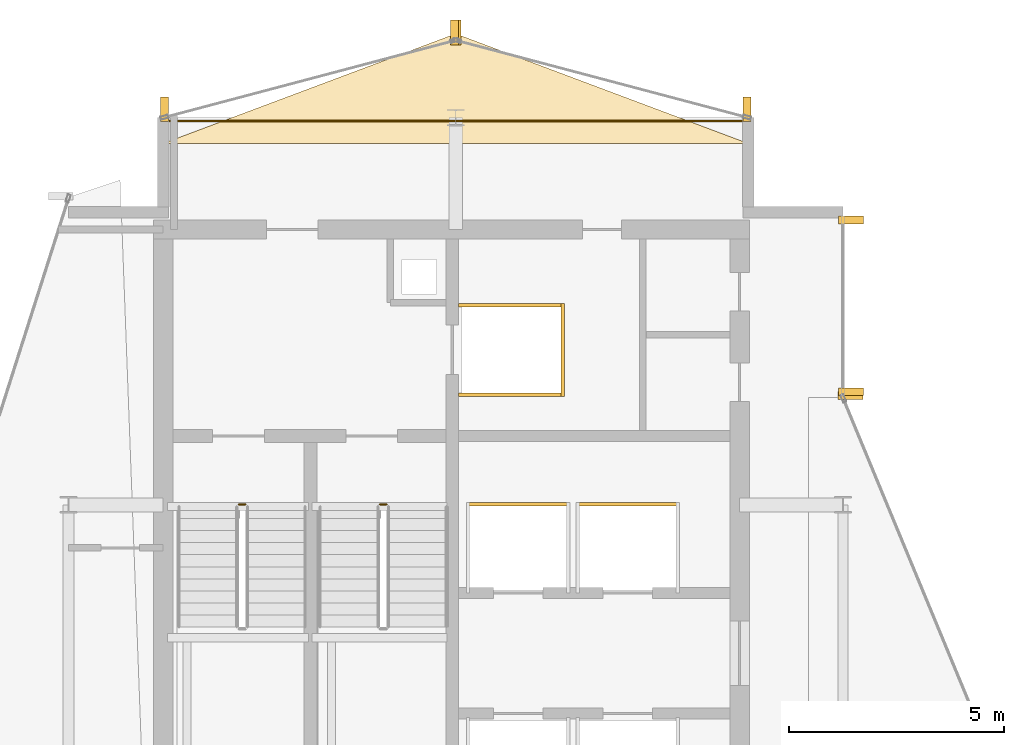
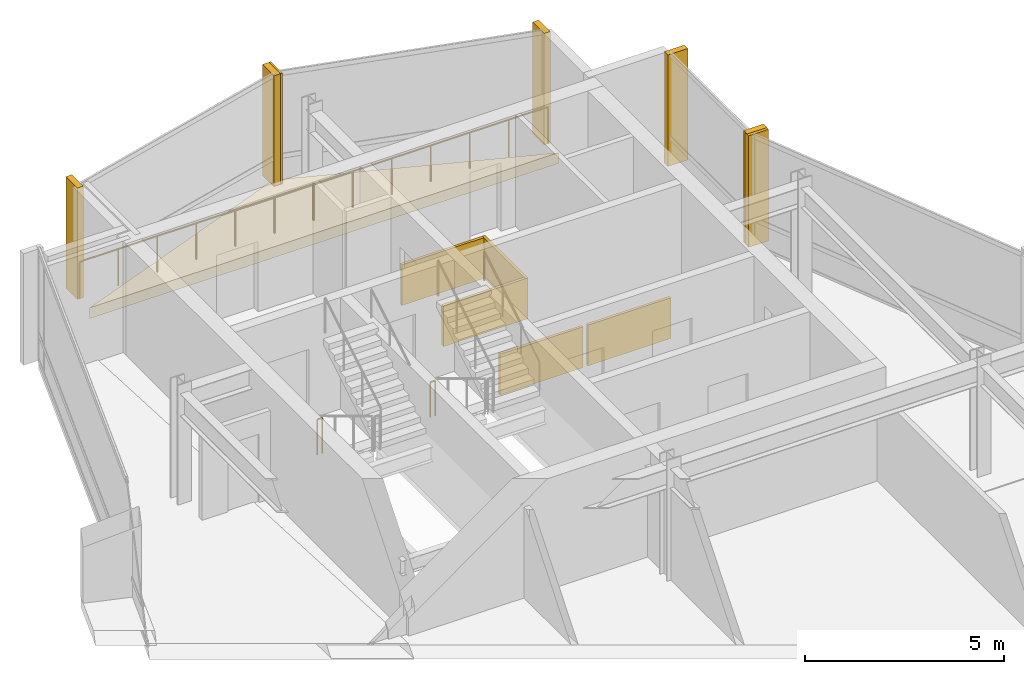
# One storey, part 19 of 19: 13 coverings, 3 railings.
"""IFC4 building model written with IfcOpenShell, lengths in metres."""

from ifc_helpers import new_model, si_unit, direction, frame, origin, origin_2d, place, context, subcontext, project, spatial, polyline, rectangle, circle, outline, extrude, material, layer, layer_set, type_object, element, save


model = new_model("IFC4")

# Units and contexts
model_context = context("Model", 3, precision=1e-05, world=origin(), true_north=direction((0.0, 1.0)))
body_context = subcontext(model_context, "Body", "Model", "MODEL_VIEW")
ifc_project = project(units=[si_unit("LENGTHUNIT", "METRE"), si_unit("AREAUNIT", "SQUARE_METRE"), si_unit("VOLUMEUNIT", "CUBIC_METRE"), si_unit("PLANEANGLEUNIT", "RADIAN"), si_unit("MASSUNIT", "GRAM", prefix="KILO")], contexts=[model_context])

# Site, building, storey
site_placement = place(None, origin())
site = spatial("IfcSite", under=ifc_project, at=site_placement, CompositionType="ELEMENT")
building_placement = place(site_placement, origin())
building = spatial("IfcBuilding", under=site, at=building_placement, Name="Solvaryn Broadcast Tower", CompositionType="ELEMENT")
storey_placement = place(building_placement, frame((0.0, 0.0, 251.89990234375)))
storey = spatial("IfcBuildingStorey", under=building, at=storey_placement, Name="L63", CompositionType="ELEMENT", Elevation=251.89990234375)

# Coverings
ifc_material_1 = material(Name="Fire-Rated Gypsum Shaftwall Liner", Category="concrete")
ifc_layer_1 = layer(ifc_material_1, 0.080078125)
ifc_layer_set_1 = layer_set([ifc_layer_1], Name="CV-SHAFT-LINER")
covering_type_1 = type_object("IfcCoveringType", Name="CV-SHAFT-LINER", PredefinedType="CLADDING", material=ifc_layer_set_1)
for number, where, z_axis, x_axis, name in (
    (1, (19.300048828125, 40.639892578125, 0.0), (0.0, 0.0, 1.0), (1.0, 0.0, 0.0), "L63 FL1 Hoistway Shaft Liner North"),
    (2, (19.300048828125, 38.56005859375, 0.0), (0.0, 0.0, 1.0), (1.0, 0.0, 0.0), "L63 FL1 Hoistway Shaft Liner South"),
):
    element("IfcCovering", number, at=place(storey_placement, frame(where, z_axis=z_axis, x_axis=x_axis)), inside=storey, type_object=covering_type_1, Name=name, PredefinedType="CLADDING", context=body_context, shape_type="SweptSolid", body=[
        extrude(rectangle(XDim=2.4599609375, YDim=0.080078125, at=origin_2d()), origin(), (0.0, 0.0, 1.0), 1.25),
    ])
covering_1_placement = place(storey_placement, frame((20.489990234375, 39.60009765625, 0.0), z_axis=(0.0, 0.0, 1.0), x_axis=(1.0, 0.0, 0.0)))
element("IfcCovering", 3, at=covering_1_placement, inside=storey, type_object=covering_type_1, Name="L63 FL1 Hoistway Shaft Liner East", PredefinedType="CLADDING", context=body_context, shape_type="SweptSolid", body=[
    extrude(rectangle(XDim=0.080078125, YDim=2.159912109375, at=origin_2d()), origin(), (0.0, 0.0, 1.0), 1.25),
])
for number, where, z_axis, x_axis, name in (
    (4, (19.449951171875, 36.014892578125, 0.0), (0.0, 0.0, 1.0), (1.0, 0.0, 0.0), "L63 PH3 Hoistway Shaft Liner North"),
    (5, (22.0, 36.014892578125, 0.0), (0.0, 0.0, 1.0), (1.0, 0.0, 0.0), "L63 PH4 Hoistway Shaft Liner North"),
):
    element("IfcCovering", number, at=place(storey_placement, frame(where, z_axis=z_axis, x_axis=x_axis)), inside=storey, type_object=covering_type_1, Name=name, PredefinedType="CLADDING", context=body_context, shape_type="SweptSolid", body=[
        extrude(rectangle(XDim=2.409912109375, YDim=0.080078125, at=origin_2d()), origin(), (0.0, 0.0, 1.0), 1.25),
    ])
ifc_material_2 = material(Name="Extruded Architectural Terracotta Fin", Category="masonry")
ifc_layer_2 = layer(ifc_material_2, 0.179931640625)
ifc_layer_set_2 = layer_set([ifc_layer_2], Name="CV-TC-FIN")
covering_type_2 = type_object("IfcCoveringType", Name="CV-TC-FIN", PredefinedType="USERDEFINED", material=ifc_layer_set_2)
for number, where, z_axis, x_axis, name in (
    (6, (27.1875, 42.6201171875, 0.000244140625), (0.0, 0.0, 1.0), (1.0, 0.0, 0.0), "L63 Terracotta Vertical Fin FIN-L63-IV-M00"),
    (7, (27.1875, 38.6298828125, 0.000244140625), (0.0, 0.0, 1.0), (1.0, 0.0, 0.0), "L63 Terracotta Vertical Fin FIN-L63-IV-M01"),
    (8, (27.177978515625, 38.541259765625, 0.000244140625), (0.0, 0.0, 1.0), (1.0, 0.0, 0.0), "L63 Terracotta Vertical Fin FIN-L63-CN2-M01"),
):
    element("IfcCovering", number, at=place(storey_placement, frame(where, z_axis=z_axis, x_axis=x_axis)), inside=storey, type_object=covering_type_2, Name=name, ObjectType="FIN", PredefinedType="USERDEFINED", context=body_context, shape_type="SweptSolid", body=[
        extrude(rectangle(XDim=0.580078125, YDim=0.179931640625, at=origin_2d()), origin(), (0.0, 0.0, 1.0), 3.419921875),
    ])
for number, where, z_axis, x_axis, name in (
    (9, (24.77099609375, 45.1953125, 0.000244140625), (0.0, 0.0, 1.0), (1.0, 0.0, 0.0), "L63 Terracotta Vertical Fin FIN-L63-NT1-M00"),
    (10, (18.029052734375, 46.979736328125, 0.000244140625), (0.0, 0.0, 1.0), (1.0, 0.0, 0.0), "L63 Terracotta Vertical Fin FIN-L63-NT1-M01"),
    (11, (17.970947265625, 46.979736328125, 0.000244140625), (0.0, 0.0, 1.0), (1.0, 0.0, 0.0), "L63 Terracotta Vertical Fin FIN-L63-NT2-M00"),
    (12, (11.22900390625, 45.1953125, 0.000244140625), (0.0, 0.0, 1.0), (1.0, 0.0, 0.0), "L63 Terracotta Vertical Fin FIN-L63-NT2-M01"),
):
    element("IfcCovering", number, at=place(storey_placement, frame(where, z_axis=z_axis, x_axis=x_axis)), inside=storey, type_object=covering_type_2, Name=name, ObjectType="FIN", PredefinedType="USERDEFINED", context=body_context, shape_type="SweptSolid", body=[
        extrude(rectangle(XDim=0.179931640625, YDim=0.580078125, at=origin_2d()), origin(), (0.0, 0.0, 1.0), 3.419921875),
    ])
ifc_material_3 = material(Name="Sculpted Architectural Terracotta Wave Fascia", Category="masonry")
ifc_layer_3 = layer(ifc_material_3, 0.340087890625)
ifc_layer_set_3 = layer_set([ifc_layer_3], Name="CV-WAVE-TRAY")
covering_type_3 = type_object("IfcCoveringType", Name="CV-WAVE-TRAY", PredefinedType="CLADDING", material=ifc_layer_set_3)
covering_2_placement = place(storey_placement, frame((0.0, 0.0, -0.2998046875)))
element("IfcCovering", 13, at=covering_2_placement, inside=storey, type_object=covering_type_3, Name="L63 North Curved Wing Deck", PredefinedType="CLADDING", context=body_context, shape_type="SweptSolid", body=[
    extrude(outline(polyline([(11.199951171875, 44.39990234375), (24.800048828125, 44.39990234375), (18.0, 46.949951171875), (11.199951171875, 44.39990234375)])), origin(), (0.0, 0.0, 1.0), 0.329833984375),
])

# Railings
ifc_material_4 = material(Name="Painted Steel Stair Well Guard", Category="steel")
railing_type_1 = type_object("IfcRailingType", Name="RL-STAIR-GUARD", PredefinedType="BALUSTRADE", material=ifc_material_4)
railing_1_placement = place(storey_placement, frame((12.9599609375, 36.010009765625, 0.0)))
element("IfcRailing", 14, at=railing_1_placement, inside=storey, type_object=railing_type_1, Name="L63 ST1 stair guard 4", PredefinedType="BALUSTRADE", context=body_context, shape_type="SweptSolid", body=[
    extrude(circle(Radius=0.02392578125, at=origin_2d()), frame((0.0, 0.0, 1.076171875), z_axis=(1.0, 0.0, 0.0), x_axis=(0.0, 1.0, 0.0)), (0.0, 0.0, 1.0), 0.150146484375),
    extrude(circle(Radius=0.02099609375, at=origin_2d()), origin(), (0.0, 0.0, 1.0), 1.052001953125),
    extrude(circle(Radius=0.02099609375, at=origin_2d()), frame((0.150146484375, 0.0, 0.0)), (0.0, 0.0, 1.0), 1.052001953125),
])
railing_2_placement = place(storey_placement, frame((16.239990234375, 36.010009765625, 0.0)))
element("IfcRailing", 15, at=railing_2_placement, inside=storey, type_object=railing_type_1, Name="L63 ST2 stair guard 4", PredefinedType="BALUSTRADE", context=body_context, shape_type="SweptSolid", body=[
    extrude(circle(Radius=0.02392578125, at=origin_2d()), frame((0.0, 0.0, 1.076171875), z_axis=(1.0, 0.0, 0.0), x_axis=(0.0, 1.0, 0.0)), (0.0, 0.0, 1.0), 0.14990234375),
    extrude(circle(Radius=0.02099609375, at=origin_2d()), origin(), (0.0, 0.0, 1.0), 1.052001953125),
    extrude(circle(Radius=0.02099609375, at=origin_2d()), frame((0.14990234375, 0.0, 0.0)), (0.0, 0.0, 1.0), 1.052001953125),
])
ifc_material_5 = material(Name="Stainless Steel and Laminated Glass Guard", Category="steel")
railing_type_2 = type_object("IfcRailingType", Name="RL-TER-1150", PredefinedType="BALUSTRADE", material=ifc_material_5)
railing_3_placement = place(storey_placement, frame((11.199951171875, 44.919921875, 0.0)))
element("IfcRailing", 16, at=railing_3_placement, inside=storey, type_object=railing_type_2, Name="L63 North Wing Spandrel Edge Guard", PredefinedType="BALUSTRADE", context=body_context, shape_type="SweptSolid", body=[
    extrude(circle(Radius=0.02392578125, at=origin_2d()), frame((0.0, 0.0, 1.1259765625), z_axis=(1.0, 0.0, 0.0), x_axis=(0.0, 1.0, 0.0)), (0.0, 0.0, 1.0), 13.60009765625),
    extrude(circle(Radius=0.02099609375, at=origin_2d()), origin(), (0.0, 0.0, 1.0), 1.101806640625),
    extrude(circle(Radius=0.02099609375, at=origin_2d()), frame((1.13330078125, 0.0, 0.0)), (0.0, 0.0, 1.0), 1.101806640625),
    extrude(circle(Radius=0.02099609375, at=origin_2d()), frame((2.2666015625, 0.0, 0.0)), (0.0, 0.0, 1.0), 1.101806640625),
    extrude(circle(Radius=0.02099609375, at=origin_2d()), frame((3.39990234375, 0.0, 0.0)), (0.0, 0.0, 1.0), 1.101806640625),
    extrude(circle(Radius=0.02099609375, at=origin_2d()), frame((4.533447265625, 0.0, 0.0)), (0.0, 0.0, 1.0), 1.101806640625),
    extrude(circle(Radius=0.02099609375, at=origin_2d()), frame((5.666748046875, 0.0, 0.0)), (0.0, 0.0, 1.0), 1.101806640625),
    extrude(circle(Radius=0.02099609375, at=origin_2d()), frame((6.800048828125, 0.0, 0.0)), (0.0, 0.0, 1.0), 1.101806640625),
    extrude(circle(Radius=0.02099609375, at=origin_2d()), frame((7.933349609375, 0.0, 0.0)), (0.0, 0.0, 1.0), 1.101806640625),
    extrude(circle(Radius=0.02099609375, at=origin_2d()), frame((9.066650390625, 0.0, 0.0)), (0.0, 0.0, 1.0), 1.101806640625),
    extrude(circle(Radius=0.02099609375, at=origin_2d()), frame((10.2001953125, 0.0, 0.0)), (0.0, 0.0, 1.0), 1.101806640625),
    extrude(circle(Radius=0.02099609375, at=origin_2d()), frame((11.33349609375, 0.0, 0.0)), (0.0, 0.0, 1.0), 1.101806640625),
    extrude(circle(Radius=0.02099609375, at=origin_2d()), frame((12.466796875, 0.0, 0.0)), (0.0, 0.0, 1.0), 1.101806640625),
    extrude(circle(Radius=0.02099609375, at=origin_2d()), frame((13.60009765625, 0.0, 0.0)), (0.0, 0.0, 1.0), 1.101806640625),
])

save(model, "model.ifc")
